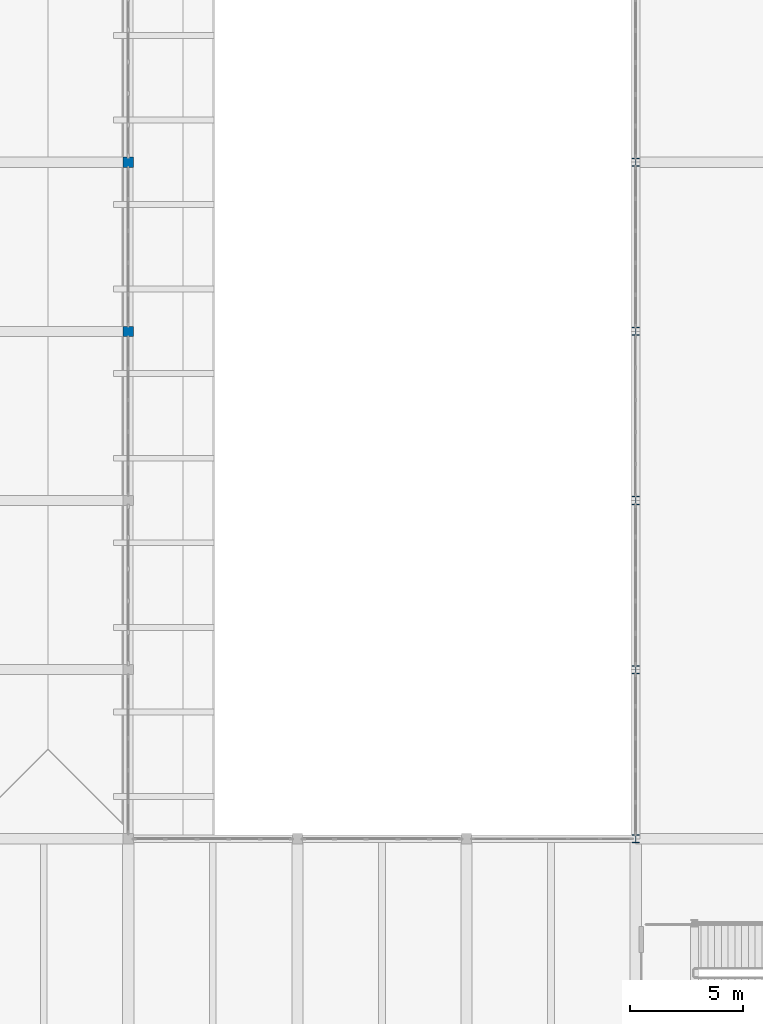
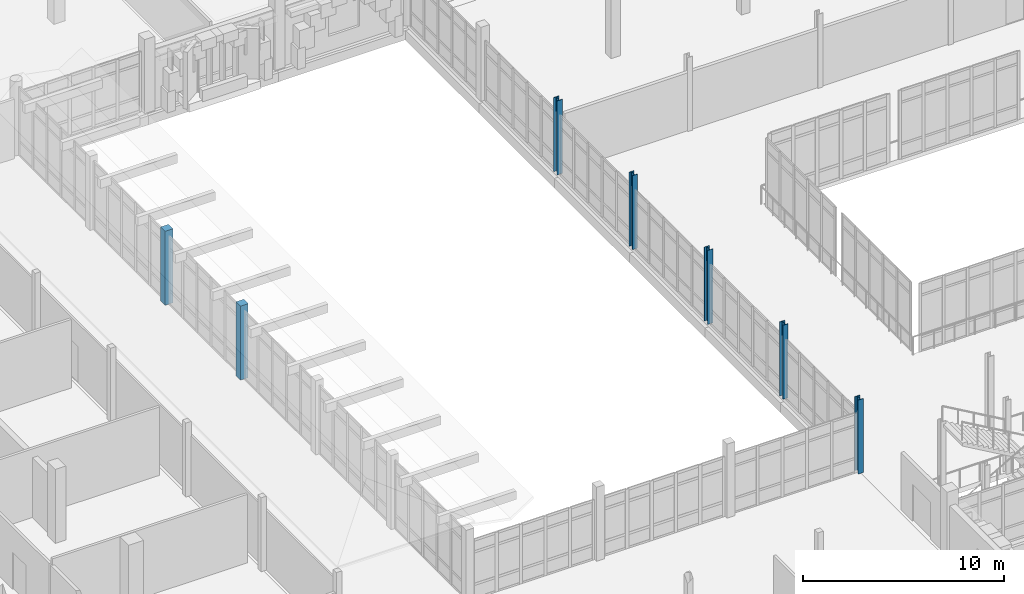
# One storey, part 4 of 128: 7 columns.
"""IFC4 building model written with IfcOpenShell, lengths in metres."""

import ifcopenshell
import ifcopenshell.guid

model = None  # the IFC model being written
_history = None  # IfcOwnerHistory: only IFC2X3 demands one
_inside = {}  # id of a spatial element -> (the spatial element, [elements in it])
_under = {}  # id of a project, library or spatial element -> (it, [spatial elements below it])
_declared = {}  # id of a project -> (the project, [libraries it declares])
_typed = {}  # id of a type object -> (the type object, [elements of that type])
_made_of = {}  # id of a material, layer set ... -> (it, [elements and type objects made of it])


def new_model(schema):
    """Start an empty IFC model of exactly this schema.

    Asked for "IFC4X3", IfcOpenShell would pick the latest addendum, in which some entities
    have other attributes; the version numbers below select the first issue.
    IFC2X3 requires an IfcOwnerHistory on every rooted entity: one is made here for all.
    """
    global model, _history
    if schema == "IFC4X3":
        model = ifcopenshell.file(schema_version=(4, 3, 0, 0))
    else:
        model = ifcopenshell.file(schema=schema)
    _inside.clear()
    _under.clear()
    _declared.clear()
    _typed.clear()
    _made_of.clear()
    _history = None
    if model.schema == "IFC2X3":
        org = make("IfcOrganization", Name="unknown")
        user = make(
            "IfcPersonAndOrganization",
            ThePerson=make("IfcPerson", FamilyName="unknown"),
            TheOrganization=org,
        )
        app = make(
            "IfcApplication",
            ApplicationDeveloper=org,
            Version="unknown",
            ApplicationFullName="unknown",
            ApplicationIdentifier="unknown",
        )
        _history = make(
            "IfcOwnerHistory",
            OwningUser=user,
            OwningApplication=app,
            ChangeAction="ADDED",
            CreationDate=0,
        )
    return model


def make(cls, **values):
    """One entity of the class cls with the attributes given. An attribute that is None is left unset."""
    return model.create_entity(
        cls, **{name: value for name, value in values.items() if value is not None}
    )


def rooted(cls, **values):
    """An entity with a GlobalId (a new one), such as an element, a storey or a relation."""
    return make(cls, GlobalId=ifcopenshell.guid.new(), OwnerHistory=_history, **values)


def si_unit(unit_type, name, prefix=None):
    """IfcSIUnit, for example si_unit("LENGTHUNIT", "METRE", prefix="MILLI")."""
    return make("IfcSIUnit", UnitType=unit_type, Prefix=prefix, Name=name)


def assignment(units):
    """IfcUnitAssignment: the units of a project."""
    return None if units is None else make("IfcUnitAssignment", Units=units)


def point(xyz):
    """IfcCartesianPoint."""
    return None if xyz is None else make("IfcCartesianPoint", Coordinates=xyz)


def direction(xyz):
    """IfcDirection."""
    return None if xyz is None else make("IfcDirection", DirectionRatios=xyz)


def frame(location, z_axis=None, x_axis=None):
    """IfcAxis2Placement3D, a coordinate frame: its origin and axes. An axis left out is left unset."""
    return make(
        "IfcAxis2Placement3D",
        Location=point(location),
        Axis=direction(z_axis),
        RefDirection=direction(x_axis),
    )


def frame_2d(location, x_axis=None):
    """IfcAxis2Placement2D, a coordinate frame in the plane: its origin and x axis."""
    return make(
        "IfcAxis2Placement2D", Location=point(location), RefDirection=direction(x_axis)
    )


def origin():
    """The frame at (0, 0, 0) with its axes left unset."""
    return frame((0.0, 0.0, 0.0))


def origin_2d():
    """The frame at (0, 0) in the plane with its x axis left unset."""
    return frame_2d((0.0, 0.0))


def place(relative_to, where):
    """IfcLocalPlacement: puts the frame where relative to a parent placement (None: the world)."""
    return make(
        "IfcLocalPlacement", PlacementRelTo=relative_to, RelativePlacement=where
    )


def context(
    kind, dimensions, precision=None, world=None, true_north=None, identifier=None
):
    """IfcGeometricRepresentationContext, for example the 3D "Model" context."""
    return make(
        "IfcGeometricRepresentationContext",
        ContextIdentifier=identifier,
        ContextType=kind,
        CoordinateSpaceDimension=dimensions,
        Precision=precision,
        WorldCoordinateSystem=world,
        TrueNorth=true_north,
    )


def subcontext(parent, identifier, kind, view, scale=None):
    """IfcGeometricRepresentationSubContext, for example "Body" below "Model"."""
    return make(
        "IfcGeometricRepresentationSubContext",
        ContextIdentifier=identifier,
        ContextType=kind,
        ParentContext=parent,
        TargetScale=scale,
        TargetView=view,
    )


def project(units=None, contexts=None):
    """IfcProject with its units and contexts."""
    return rooted(
        "IfcProject",
        Name="project",
        RepresentationContexts=contexts,
        UnitsInContext=assignment(units),
    )


def spatial(cls, under=None, at=None, **own):
    """A site, building, storey or space (cls), placed at a placement, below another one or the project."""
    s = rooted(cls, ObjectPlacement=at, **own)
    if under is not None:
        _under.setdefault(under.id(), (under, []))[1].append(s)
    return s


def profile(cls, at=None, kind="AREA", **sizes):
    """A parametric profile (cls). Its sizes go by their IFC names, for example OverallWidth=200.0."""
    return make(cls, ProfileType=kind, Position=at, **sizes)


def rectangle(**sizes):
    """IfcRectangleProfileDef."""
    return profile("IfcRectangleProfileDef", **sizes)


def i_section(**sizes):
    """IfcIShapeProfileDef."""
    return profile("IfcIShapeProfileDef", **sizes)


def extrude(swept, where, along, depth):
    """IfcExtrudedAreaSolid: the profile swept, set in the frame where, extruded along a direction by depth."""
    return make(
        "IfcExtrudedAreaSolid",
        SweptArea=swept,
        Position=where,
        ExtrudedDirection=direction(along),
        Depth=depth,
    )


def shape(context_of_items, identifier, shape_type, items):
    """IfcShapeRepresentation: the items that make up one representation, for example the "Body"."""
    return make(
        "IfcShapeRepresentation",
        ContextOfItems=context_of_items,
        RepresentationIdentifier=identifier,
        RepresentationType=shape_type,
        Items=items,
    )


def material(Name=None, Category=None):
    """IfcMaterial."""
    return make("IfcMaterial", Name=Name, Category=Category)


def material_profile(
    of_material, cross_section, Name=None, Category=None, Priority=None
):
    """IfcMaterialProfile: a cross section and its material."""
    return make(
        "IfcMaterialProfile",
        Name=Name,
        Material=of_material,
        Profile=cross_section,
        Priority=Priority,
        Category=Category,
    )


def profile_set(profiles, Name=None, composite=None):
    """IfcMaterialProfileSet."""
    return make(
        "IfcMaterialProfileSet",
        Name=Name,
        MaterialProfiles=profiles,
        CompositeProfile=composite,
    )


def made_of(thing, what):
    """Note that an element or type object is made of a material, layer set ...; save() writes the relation."""
    if what is not None:
        _made_of.setdefault(what.id(), (what, []))[1].append(thing)
    return thing


def type_object(cls, material=None, **own):
    """A type object (cls), such as IfcWallType, which elements share."""
    return made_of(rooted(cls, **own), material)


def element(
    cls,
    number,
    at=None,
    inside=None,
    cuts=None,
    type_object=None,
    material=None,
    context=None,
    identifier="Body",
    shape_type=None,
    held_by="IfcProductDefinitionShape",
    body=None,
    shapes=None,
    **own,
):
    """One element of the class cls, such as IfcWall. Its Tag is "e" and its number.

    at: its placement. inside: the storey or other place that contains it. cuts: it is an
    opening in that element (IfcRelVoidsElement). A single representation is given by context,
    identifier, shape_type and body (its items); several are given by shapes. held_by: the class
    of the entity that holds the representations. save() writes the other relations.
    """
    e = rooted(cls, Tag="e%d" % number, ObjectPlacement=at, **own)
    if body is not None:
        shapes = [shape(context, identifier, shape_type, body)]
    if shapes is not None:
        e.Representation = make(held_by, Representations=shapes)
    if inside is not None:
        _inside.setdefault(inside.id(), (inside, []))[1].append(e)
    if cuts is not None:
        rooted(
            "IfcRelVoidsElement", RelatingBuildingElement=cuts, RelatedOpeningElement=e
        )
    if type_object is not None:
        _typed.setdefault(type_object.id(), (type_object, []))[1].append(e)
    return made_of(e, material)


def aggregate(whole, parts):
    """IfcRelAggregates: a whole, such as a stair, and the parts it consists of."""
    return rooted("IfcRelAggregates", RelatingObject=whole, RelatedObjects=parts)


def save(model, path):
    """Write the relations noted so far, then the file.

    IfcRelAggregates (storeys below a building ...), IfcRelContainedInSpatialStructure (elements
    in a storey), IfcRelDefinesByType, IfcRelAssociatesMaterial and IfcRelDeclares: one each for
    every whole, place, type object, material and project.
    """
    for whole, parts in _under.values():
        aggregate(whole, parts)
    for where, things in _inside.values():
        rooted(
            "IfcRelContainedInSpatialStructure",
            RelatedElements=things,
            RelatingStructure=where,
        )
    for kind, things in _typed.values():
        rooted("IfcRelDefinesByType", RelatedObjects=things, RelatingType=kind)
    for what, things in _made_of.values():
        rooted("IfcRelAssociatesMaterial", RelatedObjects=things, RelatingMaterial=what)
    for by, libraries in _declared.values():
        rooted("IfcRelDeclares", RelatingContext=by, RelatedDefinitions=libraries)
    model.write(path)


model = new_model("IFC4")

# Units and contexts
model_context = context("Model", 3, precision=1e-05, world=origin(), true_north=direction((0.0, 1.0)))
body_context = subcontext(model_context, "Body", "Model", "MODEL_VIEW")
ifc_project = project(units=[si_unit("LENGTHUNIT", "METRE"), si_unit("AREAUNIT", "SQUARE_METRE"), si_unit("VOLUMEUNIT", "CUBIC_METRE"), si_unit("PLANEANGLEUNIT", "RADIAN"), si_unit("MASSUNIT", "GRAM", prefix="KILO")], contexts=[model_context])

# Site, building, storey
site_placement = place(None, origin())
site = spatial("IfcSite", under=ifc_project, at=site_placement, CompositionType="ELEMENT")
building_placement = place(site_placement, origin())
building = spatial("IfcBuilding", under=site, at=building_placement, Name="Dalvernix Boulevard General Hospital", CompositionType="ELEMENT")
storey_placement = place(building_placement, frame((0.0, 0.0, 4.800048828125)))
storey = spatial("IfcBuildingStorey", under=building, at=storey_placement, Name="L01", CompositionType="ELEMENT", Elevation=4.800048828125)

# Columns
ifc_material_1 = material(Name="Concrete C40/50", Category="concrete")
ifc_material_profile_1 = material_profile(ifc_material_1, rectangle(XDim=0.449951171875, YDim=0.449951171875, at=origin_2d()), Name="RC 450x450")
ifc_profile_set_1 = profile_set([ifc_material_profile_1], Name="Concrete C40/50")
column_type_1 = type_object("IfcColumnType", Name="COL-C-10-E", PredefinedType="COLUMN", material=ifc_profile_set_1)
for number, where, z_axis, x_axis, name in (
    (1, (37.5, 54.0, 0.0), (0.0, 0.0, 1.0), (1.0, 0.0, 0.0), "L01 column 6H"),
    (2, (37.5, 61.5, 0.0), (0.0, 0.0, 1.0), (1.0, 0.0, 0.0), "L01 column 6J"),
):
    element("IfcColumn", number, at=place(storey_placement, frame(where, z_axis=z_axis, x_axis=x_axis)), inside=storey, type_object=column_type_1, Name=name, PredefinedType="COLUMN", context=body_context, shape_type="SweptSolid", body=[
        extrude(rectangle(XDim=0.449951171875, YDim=0.449951171875, at=origin_2d()), origin(), (0.0, 0.0, 1.0), 4.5),
    ])
ifc_material_2 = material(Name="Steel S355", Category="steel")
ifc_material_profile_2 = material_profile(ifc_material_2, i_section(OverallWidth=0.300048828125, OverallDepth=0.360107421875, WebThickness=0.012451171875, FlangeThickness=0.0224609375, FilletRadius=0.027099609375, at=origin_2d()), Name="HEB 360")
ifc_profile_set_2 = profile_set([ifc_material_profile_2], Name="Steel S355")
column_type_2 = type_object("IfcColumnType", Name="COL-C-17-E", PredefinedType="COLUMN", material=ifc_profile_set_2)
for number, where, z_axis, x_axis, name in (
    (3, (60.0, 31.5, 0.0), (0.0, 0.0, 1.0), (1.0, 0.0, 0.0), "L01 column 9E"),
    (4, (60.0, 39.0, 0.0), (0.0, 0.0, 1.0), (1.0, 0.0, 0.0), "L01 column 9F"),
    (5, (60.0, 46.5, 0.0), (0.0, 0.0, 1.0), (1.0, 0.0, 0.0), "L01 column 9G"),
    (6, (60.0, 54.0, 0.0), (0.0, 0.0, 1.0), (1.0, 0.0, 0.0), "L01 column 9H"),
    (7, (60.0, 61.5, 0.0), (0.0, 0.0, 1.0), (1.0, 0.0, 0.0), "L01 column 9J"),
):
    element("IfcColumn", number, at=place(storey_placement, frame(where, z_axis=z_axis, x_axis=x_axis)), inside=storey, type_object=column_type_2, Name=name, PredefinedType="COLUMN", context=body_context, shape_type="SweptSolid", body=[
        extrude(i_section(OverallWidth=0.300048828125, OverallDepth=0.360107421875, WebThickness=0.012451171875, FlangeThickness=0.0224609375, FilletRadius=0.027099609375, at=origin_2d()), origin(), (0.0, 0.0, 1.0), 4.5),
    ])

save(model, "model.ifc")
